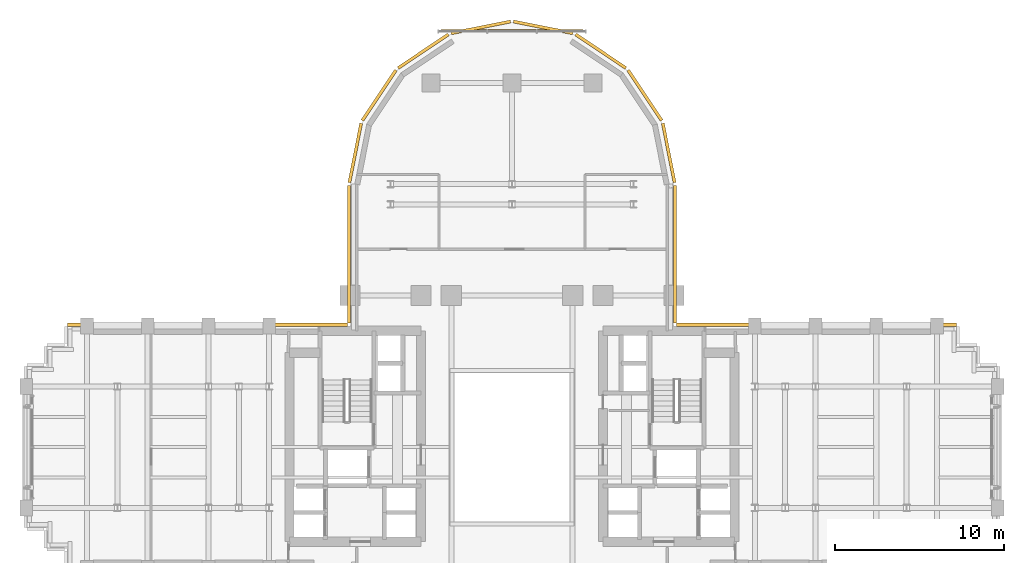
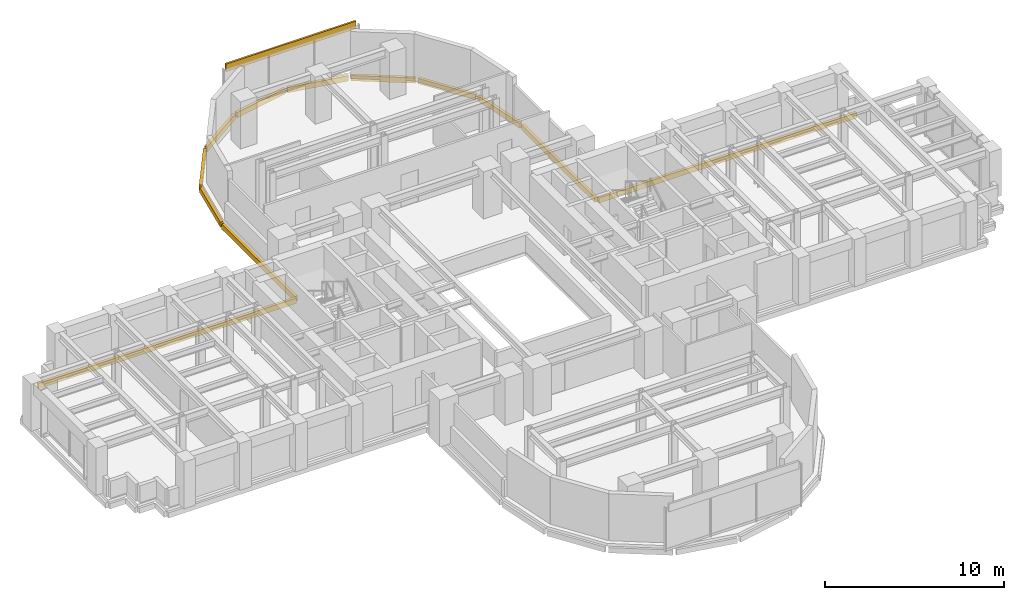
# One storey, part 16 of 16: 13 coverings.
"""IFC4 building model written with IfcOpenShell, lengths in metres."""

from ifc_helpers import new_model, si_unit, direction, frame, origin, origin_2d, place, context, subcontext, project, spatial, rectangle, extrude, source, transform, mapped, material, layer, layer_set, type_object, element, save


model = new_model("IFC4")

# Units and contexts
model_context = context("Model", 3, precision=1e-05, world=origin(), true_north=direction((0.0, 1.0)))
body_context = subcontext(model_context, "Body", "Model", "MODEL_VIEW")
ifc_project = project(units=[si_unit("LENGTHUNIT", "METRE"), si_unit("AREAUNIT", "SQUARE_METRE"), si_unit("VOLUMEUNIT", "CUBIC_METRE"), si_unit("PLANEANGLEUNIT", "RADIAN"), si_unit("MASSUNIT", "GRAM", prefix="KILO")], contexts=[model_context])

# Site, building, storey
site_placement = place(None, origin())
site = spatial("IfcSite", under=ifc_project, at=site_placement, CompositionType="ELEMENT")
building_placement = place(site_placement, origin())
building = spatial("IfcBuilding", under=site, at=building_placement, Name="Keilestroom Media Tower", CompositionType="ELEMENT")
storey_placement = place(building_placement, frame((0.0, 0.0, 64.60009765625)))
storey = spatial("IfcBuildingStorey", under=building, at=storey_placement, Name="L16", CompositionType="ELEMENT", Elevation=64.60009765625)

# Coverings
ifc_material = material(Name="Precast concrete C40/50", Category="concrete")
ifc_layer = layer(ifc_material, 0.1201171875)
ifc_layer_set = layer_set([ifc_layer], Name="Precast concrete C40/50")
covering_type = type_object("IfcCoveringType", Name="Exterior-Precast-Spandrel-Cladding-Panel-120", PredefinedType="CLADDING", material=ifc_layer_set)
shared_shape_1 = source(origin(), body_context, "Body", "SweptSolid", [
    extrude(rectangle(XDim=8.39990234375, YDim=0.1201171875, at=origin_2d()), origin(), (0.0, 0.0, 1.0), 0.52001953125),
])
covering_placement = place(storey_placement, frame((0.0, 24.719970703125, 2.68994140625), z_axis=(0.0, 0.0, 1.0), x_axis=(1.0, 0.0, 0.0)))
element("IfcCovering", 1, at=covering_placement, inside=storey, type_object=covering_type, Name="L16 Precast Spandrel Cladding N", PredefinedType="CLADDING", context=body_context, shape_type="MappedRepresentation", body=[
    mapped(shared_shape_1, transform((0.0, 0.0, 0.0), x_axis=(1.0, 0.0, 0.0), y_axis=(0.0, 1.0, 0.0), z_axis=(0.0, 0.0, 1.0), scale=1.0)),
])
shared_shape_2 = source(origin(), body_context, "Body", "SweptSolid", [
    extrude(rectangle(XDim=16.6201171875, YDim=0.179931640625, at=origin_2d()), origin(), (0.0, 0.0, 1.0), 0.360107421875),
])
for number, where, z_axis, x_axis, name in (
    (2, (-18.06005859375, 7.260009765625, -0.5400390625), (0.0, 0.0, 1.0), (1.0, 0.0, 0.0), "L16 Precast Slab-Edge Fascia Cornice 26"),
    (3, (18.06005859375, 7.260009765625, -0.5400390625), (0.0, 0.0, 1.0), (1.0, 0.0, 0.0), "L16 Precast Slab-Edge Fascia Cornice 37"),
):
    element("IfcCovering", number, at=place(storey_placement, frame(where, z_axis=z_axis, x_axis=x_axis)), inside=storey, type_object=covering_type, Name=name, PredefinedType="CLADDING", context=body_context, shape_type="MappedRepresentation", body=[
        mapped(shared_shape_2, transform((0.0, 0.0, 0.0), x_axis=(1.0, 0.0, 0.0), y_axis=(0.0, 1.0, 0.0), z_axis=(0.0, 0.0, 1.0), scale=1.0)),
    ])
shared_shape_3 = source(origin(), body_context, "Body", "SweptSolid", [
    extrude(rectangle(XDim=8.166015625, YDim=0.179931640625, at=origin_2d()), origin(), (0.0, 0.0, 1.0), 0.360107421875),
])
for number, where, z_axis, x_axis, name in (
    (4, (-9.659912109375, 11.43310546875, -0.5400390625), (0.0, 0.0, 1.0), (0.0, 1.0, 0.0), "L16 Precast Slab-Edge Fascia Cornice 27"),
    (5, (9.659912109375, 11.43310546875, -0.5400390625), (0.0, 0.0, 1.0), (0.0, -1.0, 0.0), "L16 Precast Slab-Edge Fascia Cornice 36"),
):
    element("IfcCovering", number, at=place(storey_placement, frame(where, z_axis=z_axis, x_axis=x_axis)), inside=storey, type_object=covering_type, Name=name, PredefinedType="CLADDING", context=body_context, shape_type="MappedRepresentation", body=[
        mapped(shared_shape_3, transform((0.0, 0.0, 0.0), x_axis=(1.0, 0.0, 0.0), y_axis=(0.0, 1.0, 0.0), z_axis=(0.0, 0.0, 1.0), scale=1.0)),
    ])
shared_shape_4 = source(origin(), body_context, "Body", "SweptSolid", [
    extrude(rectangle(XDim=3.58349609375, YDim=0.179931640625, at=origin_2d()), origin(), (0.0, 0.0, 1.0), 0.360107421875),
])
for number, where, z_axis, x_axis, name in (
    (6, (-9.29296875, 17.45166015625, -0.5400390625), (0.0, 0.0, 1.0), (0.195098880975, 0.980783577882, 0.0), "L16 Precast Slab-Edge Fascia Cornice 28"),
    (7, (9.29296875, 17.45166015625, -0.5400390625), (0.0, 0.0, 1.0), (0.195098880975, -0.980783577882, 0.0), "L16 Precast Slab-Edge Fascia Cornice 35"),
):
    element("IfcCovering", number, at=place(storey_placement, frame(where, z_axis=z_axis, x_axis=x_axis)), inside=storey, type_object=covering_type, Name=name, PredefinedType="CLADDING", context=body_context, shape_type="MappedRepresentation", body=[
        mapped(shared_shape_4, transform((0.0, 0.0, 0.0), x_axis=(1.0, 0.0, 0.0), y_axis=(0.0, 1.0, 0.0), z_axis=(0.0, 0.0, 1.0), scale=1.0)),
    ])
shared_shape_5 = source(origin(), body_context, "Body", "SweptSolid", [
    extrude(rectangle(XDim=3.589599609375, YDim=0.179931640625, at=origin_2d()), origin(), (0.0, 0.0, 1.0), 0.360107421875),
])
for number, where, z_axis, x_axis, name in (
    (8, (-7.878662109375, 20.8642578125, -0.5400390625), (0.0, 0.0, 1.0), (0.555574586577, 0.831466703332, 0.0), "L16 Precast Slab-Edge Fascia Cornice 29"),
    (9, (-5.264404296875, 23.478515625, -0.5400390625), (0.0, 0.0, 1.0), (0.831466703332, 0.555574586577, 0.0), "L16 Precast Slab-Edge Fascia Cornice 30"),
    (10, (-1.8486328125, 24.893310546875, -0.5400390625), (0.0, 0.0, 1.0), (0.980783577882, 0.195098880975, 0.0), "L16 Precast Slab-Edge Fascia Cornice 31"),
    (11, (1.8486328125, 24.893310546875, -0.5400390625), (0.0, 0.0, 1.0), (0.980783577882, -0.195098880975, 0.0), "L16 Precast Slab-Edge Fascia Cornice 32"),
    (12, (5.264404296875, 23.478515625, -0.5400390625), (0.0, 0.0, 1.0), (0.831466703332, -0.555574586577, 0.0), "L16 Precast Slab-Edge Fascia Cornice 33"),
    (13, (7.878662109375, 20.8642578125, -0.5400390625), (0.0, 0.0, 1.0), (0.555574586577, -0.831466703332, 0.0), "L16 Precast Slab-Edge Fascia Cornice 34"),
):
    element("IfcCovering", number, at=place(storey_placement, frame(where, z_axis=z_axis, x_axis=x_axis)), inside=storey, type_object=covering_type, Name=name, PredefinedType="CLADDING", context=body_context, shape_type="MappedRepresentation", body=[
        mapped(shared_shape_5, transform((0.0, 0.0, 0.0), x_axis=(1.0, 0.0, 0.0), y_axis=(0.0, 1.0, 0.0), z_axis=(0.0, 0.0, 1.0), scale=1.0)),
    ])

save(model, "model.ifc")
